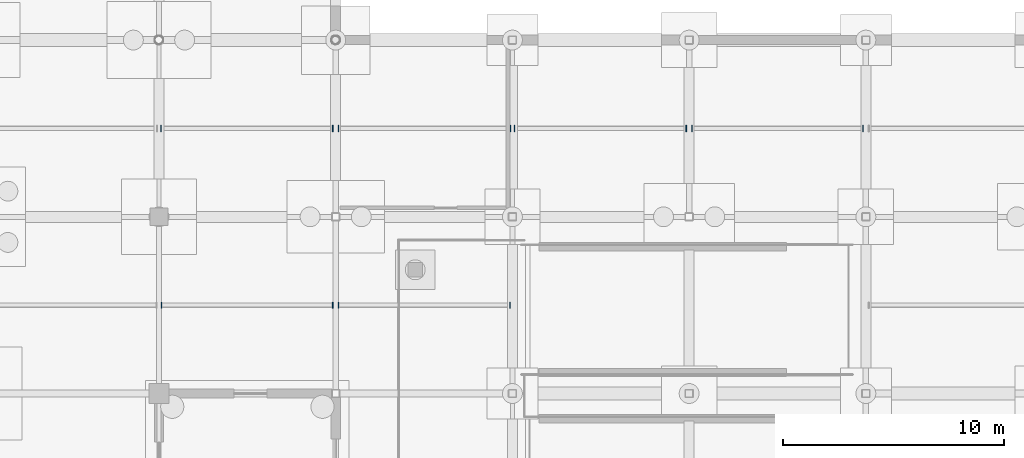
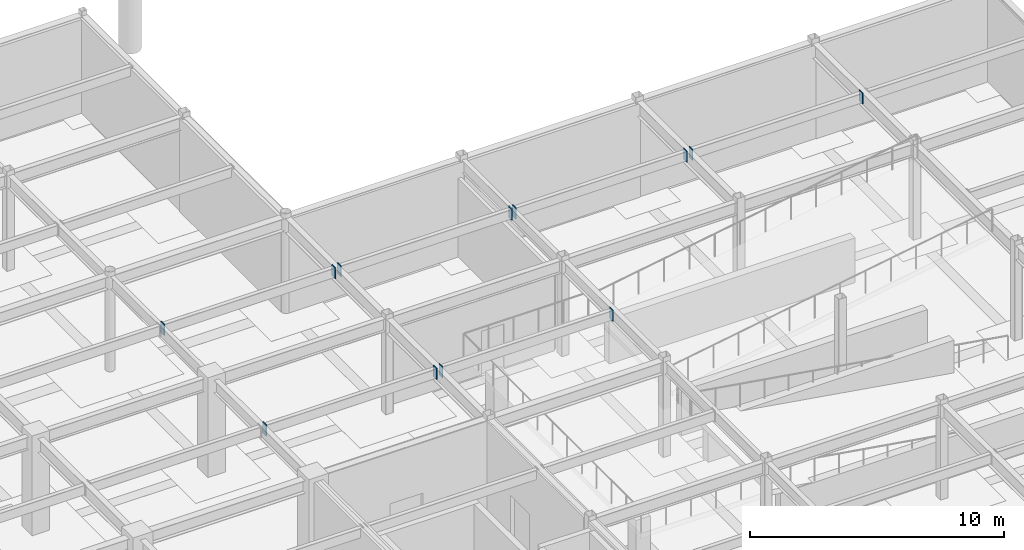
# One storey, part 89 of 105: 12 discrete accessories.
"""IFC4 building model written with IfcOpenShell, lengths in metres."""

from ifc_helpers import new_model, si_unit, direction, frame, origin, origin_2d, place, context, subcontext, project, spatial, rectangle, extrude, material, layer, layer_set, type_object, element, save


model = new_model("IFC4")

# Units and contexts
model_context = context("Model", 3, precision=1e-05, world=origin(), true_north=direction((0.0, 1.0)))
body_context = subcontext(model_context, "Body", "Model", "MODEL_VIEW")
ifc_project = project(units=[si_unit("LENGTHUNIT", "METRE"), si_unit("AREAUNIT", "SQUARE_METRE"), si_unit("VOLUMEUNIT", "CUBIC_METRE"), si_unit("PLANEANGLEUNIT", "RADIAN"), si_unit("MASSUNIT", "GRAM", prefix="KILO")], contexts=[model_context])

# Site, building, storey
site_placement = place(None, origin())
site = spatial("IfcSite", under=ifc_project, at=site_placement, CompositionType="ELEMENT")
building_placement = place(site_placement, origin())
building = spatial("IfcBuilding", under=site, at=building_placement, Name="Solmirada Galleria", CompositionType="ELEMENT")
storey_placement = place(building_placement, frame((0.0, 0.0, -4.800048828125)))
storey = spatial("IfcBuildingStorey", under=building, at=storey_placement, Name="B1", CompositionType="ELEMENT", Elevation=-4.800048828125)

# Discrete accessories
ifc_material = material(Name="Steel S355 / ASTM A572 Grade 50", Category="steel")
ifc_layer = layer(ifc_material, 0.031982421875)
ifc_layer_set = layer_set([ifc_layer], Name="Steel S355 / ASTM A572 Grade 50")
discrete_accessory_type = type_object("IfcDiscreteAccessoryType", Name="ACC-COL-CAP", PredefinedType="BRACKET", material=ifc_layer_set)
for number, where, z_axis, x_axis, name in (
    (1, (136.114013671875, 20.0, 4.08154296875), (0.0, 0.0, 1.0), (1.0, 0.0, 0.0), "Hollow joist end plate L00-18-03-L"),
    (2, (143.8720703125, 20.0, 4.08154296875), (0.0, 0.0, 1.0), (1.0, 0.0, 0.0), "Hollow joist end plate L00-18-03-R"),
    (3, (136.089111328125, 28.0, 4.08154296875), (0.0, 0.0, 1.0), (1.0, 0.0, 0.0), "Hollow joist end plate L00-18-04-L"),
    (4, (143.8720703125, 28.0, 4.08154296875), (0.0, 0.0, 1.0), (1.0, 0.0, 0.0), "Hollow joist end plate L00-18-04-R"),
    (5, (144.1279296875, 20.0, 4.08154296875), (0.0, 0.0, 1.0), (1.0, 0.0, 0.0), "Hollow joist end plate L00-19-03-L"),
    (6, (151.885986328125, 20.0, 4.08154296875), (0.0, 0.0, 1.0), (1.0, 0.0, 0.0), "Hollow joist end plate L00-19-03-R"),
    (7, (144.1279296875, 28.0, 4.08154296875), (0.0, 0.0, 1.0), (1.0, 0.0, 0.0), "Hollow joist end plate L00-19-04-L"),
    (8, (151.910888671875, 28.0, 4.08154296875), (0.0, 0.0, 1.0), (1.0, 0.0, 0.0), "Hollow joist end plate L00-19-04-R"),
    (9, (152.089111328125, 28.0, 4.08154296875), (0.0, 0.0, 1.0), (1.0, 0.0, 0.0), "Hollow joist end plate L00-20-04-L"),
    (10, (159.873046875, 28.0, 4.08154296875), (0.0, 0.0, 1.0), (1.0, 0.0, 0.0), "Hollow joist end plate L00-20-04-R"),
    (11, (160.126953125, 28.0, 4.08154296875), (0.0, 0.0, 1.0), (1.0, 0.0, 0.0), "Hollow joist end plate L00-21-04-L"),
    (12, (167.8720703125, 28.0, 4.08154296875), (0.0, 0.0, 1.0), (1.0, 0.0, 0.0), "Hollow joist end plate L00-21-04-R"),
):
    element("IfcDiscreteAccessory", number, at=place(storey_placement, frame(where, z_axis=z_axis, x_axis=x_axis)), inside=storey, type_object=discrete_accessory_type, Name=name, PredefinedType="BRACKET", context=body_context, shape_type="SweptSolid", body=[
        extrude(rectangle(XDim=0.035888671875, YDim=0.280029296875, at=origin_2d()), origin(), (0.0, 0.0, 1.0), 0.5400390625),
    ])

save(model, "model.ifc")
